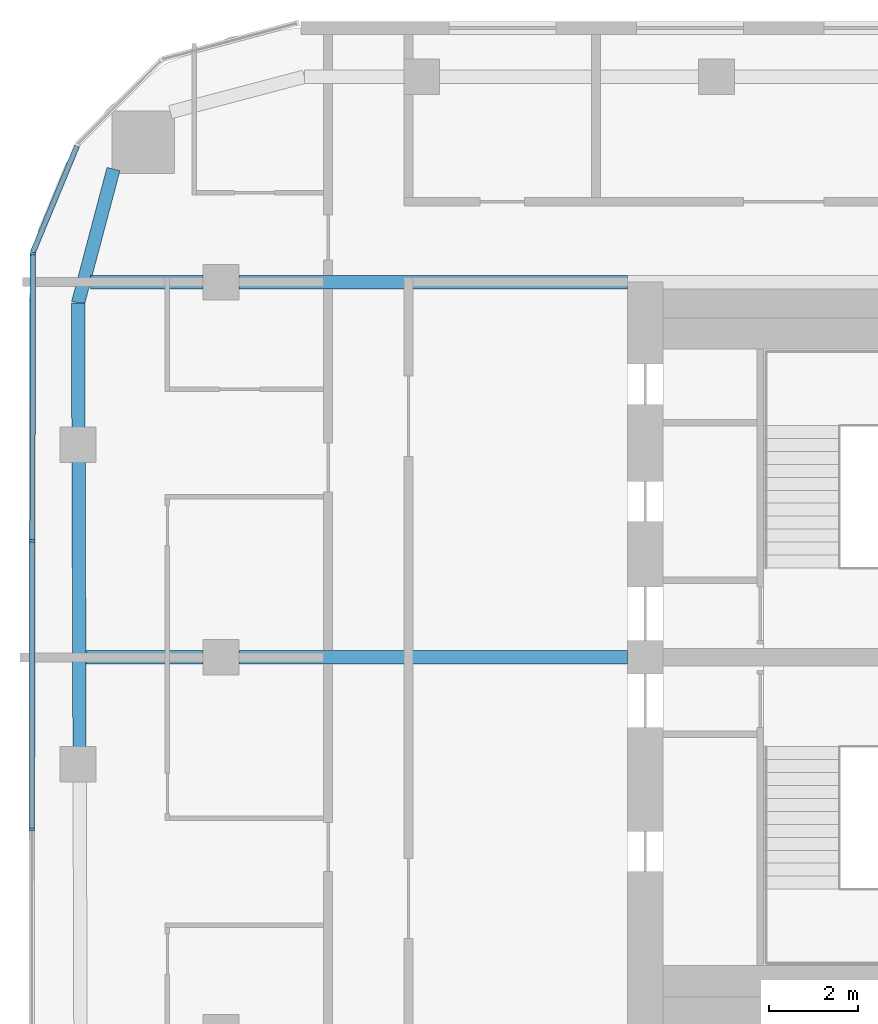
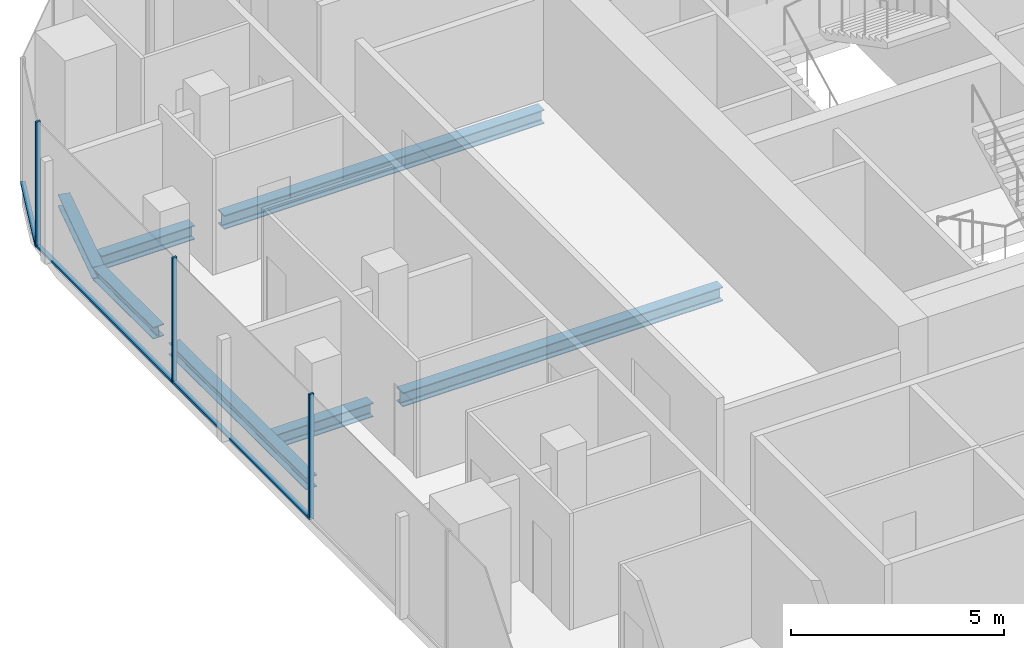
# One storey, part 8 of 21: 7 beams, 6 members, 2 elements without a shape of their own.
"""IFC4 building model written with IfcOpenShell, lengths in metres."""

from ifc_helpers import new_model, si_unit, direction, frame, origin, origin_2d, place, context, subcontext, project, spatial, rectangle, i_section, extrude, material, layer, layer_set, material_profile, profile_set, type_object, element, aggregate, save


model = new_model("IFC4")

# Units and contexts
model_context = context("Model", 3, precision=1e-05, world=origin(), true_north=direction((0.0, 1.0)))
body_context = subcontext(model_context, "Body", "Model", "MODEL_VIEW")
ifc_project = project(units=[si_unit("LENGTHUNIT", "METRE"), si_unit("AREAUNIT", "SQUARE_METRE"), si_unit("VOLUMEUNIT", "CUBIC_METRE"), si_unit("PLANEANGLEUNIT", "RADIAN"), si_unit("MASSUNIT", "GRAM", prefix="KILO")], contexts=[model_context])

# Site, building, storey
site_placement = place(None, origin())
site = spatial("IfcSite", under=ifc_project, at=site_placement, CompositionType="ELEMENT")
building_placement = place(site_placement, origin())
building = spatial("IfcBuilding", under=site, at=building_placement, Name="Marenta Gate Hotel Tower", CompositionType="ELEMENT")
storey_placement = place(building_placement, frame((0.0, 0.0, 245.300048828125)))
storey = spatial("IfcBuildingStorey", under=building, at=storey_placement, Name="L58", CompositionType="ELEMENT", Elevation=245.300048828125)

# Beams
ifc_material_1 = material(Name="Steel S355", Category="steel")
ifc_material_profile_1 = material_profile(ifc_material_1, i_section(OverallWidth=0.300048828125, OverallDepth=0.340087890625, WebThickness=0.011962890625, FlangeThickness=0.021484375, FilletRadius=0.027099609375, at=origin_2d()), Name="HEB 340")
ifc_profile_set_1 = profile_set([ifc_material_profile_1], Name="Steel S355")
beam_type_1 = type_object("IfcBeamType", Name="Edge beam HEB 340", PredefinedType="SPANDREL", material=ifc_profile_set_1)
beam_1_placement = place(storey_placement, frame((-24.166748046875, 6.36328125, -0.429931640625), z_axis=(-0.00333963982, 0.999994423387, 0.0), x_axis=(-0.999994423387, -0.00333963982, 0.0)))
element("IfcBeam", 1, at=beam_1_placement, inside=storey, type_object=beam_type_1, Name="L58-EB-9", PredefinedType="SPANDREL", context=body_context, shape_type="SweptSolid", body=[
    extrude(i_section(OverallWidth=0.300048828125, OverallDepth=0.340087890625, WebThickness=0.011962890625, FlangeThickness=0.021484375, FilletRadius=0.027099609375, at=origin_2d()), origin(), (0.0, 0.0, 1.0), 6.43310546875),
])
beam_2_placement = place(storey_placement, frame((-24.190673828125, 13.516357421875, -0.429931640625), z_axis=(-0.003292020626, 0.999994581285, 0.0), x_axis=(-0.999994581285, -0.003292020626, 0.0)))
element("IfcBeam", 2, at=beam_2_placement, inside=storey, type_object=beam_type_1, Name="L58-EB-10", PredefinedType="SPANDREL", context=body_context, shape_type="SweptSolid", body=[
    extrude(i_section(OverallWidth=0.300048828125, OverallDepth=0.340087890625, WebThickness=0.011962890625, FlangeThickness=0.021484375, FilletRadius=0.027099609375, at=origin_2d()), origin(), (0.0, 0.0, 1.0), 2.818115234375),
])
beam_3_placement = place(storey_placement, frame((-24.199951171875, 16.33447265625, -0.429931640625), z_axis=(0.255648013319, 0.966769927794, 0.0), x_axis=(-0.966769927794, 0.255648013319, 0.0)))
element("IfcBeam", 3, at=beam_3_placement, inside=storey, type_object=beam_type_1, Name="L58-EB-11", PredefinedType="SPANDREL", context=body_context, shape_type="SweptSolid", body=[
    extrude(i_section(OverallWidth=0.300048828125, OverallDepth=0.340087890625, WebThickness=0.011962890625, FlangeThickness=0.021484375, FilletRadius=0.027099609375, at=origin_2d()), origin(), (0.0, 0.0, 1.0), 3.100830078125),
])
ifc_material_2 = material(Name="Steel S355", Category="steel")
ifc_material_profile_2 = material_profile(ifc_material_2, i_section(OverallWidth=0.300048828125, OverallDepth=0.39990234375, WebThickness=0.013427734375, FlangeThickness=0.02392578125, FilletRadius=0.027099609375, at=origin_2d()), Name="HEB 400")
ifc_profile_set_2 = profile_set([ifc_material_profile_2], Name="Steel S355")
beam_type_2 = type_object("IfcBeamType", Name="Girder HEB 400", PredefinedType="BEAM", material=ifc_profile_set_2)
beam_4_placement = place(storey_placement, frame((-24.023681640625, 8.39990234375, -0.4599609375), z_axis=(1.0, 0.0, 0.0), x_axis=(0.0, 1.0, 0.0)))
element("IfcBeam", 4, at=beam_4_placement, inside=storey, type_object=beam_type_2, Name="L58-GD-25", PredefinedType="BEAM", context=body_context, shape_type="SweptSolid", body=[
    extrude(i_section(OverallWidth=0.300048828125, OverallDepth=0.39990234375, WebThickness=0.013427734375, FlangeThickness=0.02392578125, FilletRadius=0.027099609375, at=origin_2d()), origin(), (0.0, 0.0, 1.0), 2.623779296875),
])
beam_5_placement = place(storey_placement, frame((-20.60009765625, 8.39990234375, -0.4599609375), z_axis=(1.0, 0.0, 0.0), x_axis=(0.0, 1.0, 0.0)))
element("IfcBeam", 5, at=beam_5_placement, inside=storey, type_object=beam_type_2, Name="L58-GD-26", PredefinedType="BEAM", context=body_context, shape_type="SweptSolid", body=[
    extrude(i_section(OverallWidth=0.300048828125, OverallDepth=0.39990234375, WebThickness=0.013427734375, FlangeThickness=0.02392578125, FilletRadius=0.027099609375, at=origin_2d()), origin(), (0.0, 0.0, 1.0), 8.7001953125),
])
beam_6_placement = place(storey_placement, frame((-23.921630859375, 16.800048828125, -0.4599609375), z_axis=(1.0, 0.0, 0.0), x_axis=(0.0, 1.0, 0.0)))
element("IfcBeam", 6, at=beam_6_placement, inside=storey, type_object=beam_type_2, Name="L58-GD-29", PredefinedType="BEAM", context=body_context, shape_type="SweptSolid", body=[
    extrude(i_section(OverallWidth=0.300048828125, OverallDepth=0.39990234375, WebThickness=0.013427734375, FlangeThickness=0.02392578125, FilletRadius=0.027099609375, at=origin_2d()), origin(), (0.0, 0.0, 1.0), 2.521728515625),
])
beam_7_placement = place(storey_placement, frame((-20.60009765625, 16.800048828125, -0.4599609375), z_axis=(1.0, 0.0, 0.0), x_axis=(0.0, 1.0, 0.0)))
element("IfcBeam", 7, at=beam_7_placement, inside=storey, type_object=beam_type_2, Name="L58-GD-30", PredefinedType="BEAM", context=body_context, shape_type="SweptSolid", body=[
    extrude(i_section(OverallWidth=0.300048828125, OverallDepth=0.39990234375, WebThickness=0.013427734375, FlangeThickness=0.02392578125, FilletRadius=0.027099609375, at=origin_2d()), origin(), (0.0, 0.0, 1.0), 8.7001953125),
])

# Curtain wall, members
ifc_material_3 = material(Name="Tinted insulated glass in bronze anodised frame", Category="glass")
ifc_layer = layer(ifc_material_3, 0.1201171875)
ifc_layer_set = layer_set([ifc_layer], Name="Tinted insulated glass in bronze anodised frame")
curtain_wall_type = type_object("IfcCurtainWallType", Name="Tower unitised curtain wall CW1", PredefinedType="NOTDEFINED", material=ifc_layer_set)
curtain_wall_1_placement = place(storey_placement, origin())
curtain_wall_1 = element("IfcCurtainWall", 8, at=curtain_wall_1_placement, inside=storey, type_object=curtain_wall_type, Name="CW1 run G03", PredefinedType="NOTDEFINED")
ifc_material_4 = material(Name="Bronze anodised aluminium", Category="aluminium")
ifc_material_profile_3 = material_profile(ifc_material_4, rectangle(XDim=0.1201171875, YDim=0.06005859375, at=origin_2d()), Name="Mullion CW1 60x120 bronze anodised aluminium")
ifc_profile_set_3 = profile_set([ifc_material_profile_3], Name="Bronze anodised aluminium")
member_type_1 = type_object("IfcMemberType", Name="Mullion CW1 60x120 bronze anodised aluminium", PredefinedType="MULLION", material=ifc_profile_set_3)
member_1_placement = place(storey_placement, frame((-25.21240234375, 17.436279296875, 0.0), z_axis=(0.0, 0.0, 1.0), x_axis=(0.99999877375, -0.001566045546, 0.0)))
member_1 = element("IfcMember", 9, at=member_1_placement, type_object=member_type_1, Name="CW1 mullion 1", PredefinedType="MULLION", context=body_context, shape_type="SweptSolid", body=[
    extrude(rectangle(XDim=0.1201171875, YDim=0.06005859375, at=origin_2d()), origin(), (0.0, 0.0, 1.0), 3.599853515625),
])
member_2_placement = place(storey_placement, frame((-25.222412109375, 11.006103515625, 0.0), z_axis=(0.0, 0.0, 1.0), x_axis=(0.99999877375, -0.001566045546, 0.0)))
member_2 = element("IfcMember", 10, at=member_2_placement, type_object=member_type_1, Name="CW1 mullion 2", PredefinedType="MULLION", context=body_context, shape_type="SweptSolid", body=[
    extrude(rectangle(XDim=0.1201171875, YDim=0.06005859375, at=origin_2d()), origin(), (0.0, 0.0, 1.0), 3.599853515625),
])
member_3_placement = place(storey_placement, frame((-25.232421875, 4.546142578125, 0.0), z_axis=(0.0, 0.0, 1.0), x_axis=(0.99999877375, -0.001566045546, 0.0)))
member_3 = element("IfcMember", 11, at=member_3_placement, type_object=member_type_1, Name="CW1 mullion 3", PredefinedType="MULLION", context=body_context, shape_type="SweptSolid", body=[
    extrude(rectangle(XDim=0.1201171875, YDim=0.06005859375, at=origin_2d()), origin(), (0.0, 0.0, 1.0), 3.599853515625),
])

# Curtain wall, member
curtain_wall_2_placement = place(storey_placement, origin())
curtain_wall_2 = element("IfcCurtainWall", 12, at=curtain_wall_2_placement, inside=storey, type_object=curtain_wall_type, Name="CW1 run G02", PredefinedType="NOTDEFINED")
ifc_material_5 = material(Name="Bronze anodised aluminium", Category="aluminium")
ifc_material_profile_4 = material_profile(ifc_material_5, rectangle(XDim=0.1201171875, YDim=0.06005859375, at=origin_2d()), Name="Transom CW1 60x120 bronze anodised aluminium")
ifc_profile_set_4 = profile_set([ifc_material_profile_4], Name="Bronze anodised aluminium")
member_type_2 = type_object("IfcMemberType", Name="Transom CW1 60x120 bronze anodised aluminium", PredefinedType="USERDEFINED", material=ifc_profile_set_4)
member_4_placement = place(storey_placement, frame((-24.2265625, 19.845947265625, 0.030029296875), z_axis=(-0.382736860682, -0.923857399968, 0.0), x_axis=(0.923857399968, -0.382736860682, 0.0)))
member_4 = element("IfcMember", 13, at=member_4_placement, type_object=member_type_2, Name="CW1 transom 1.1", ObjectType="TRANSOM", PredefinedType="USERDEFINED", context=body_context, shape_type="SweptSolid", body=[
    extrude(rectangle(XDim=0.1201171875, YDim=0.06005859375, at=origin_2d()), origin(), (0.0, 0.0, 1.0), 2.57568359375),
])
aggregate(curtain_wall_2, [member_4])

# Member
member_5_placement = place(storey_placement, frame((-25.21240234375, 17.40625, 0.030029296875), z_axis=(-0.00157136093, -0.999998765412, 0.0), x_axis=(0.999998765412, -0.00157136093, 0.0)))
member_5 = element("IfcMember", 14, at=member_5_placement, type_object=member_type_2, Name="CW1 transom 1.1", ObjectType="TRANSOM", PredefinedType="USERDEFINED", context=body_context, shape_type="SweptSolid", body=[
    extrude(rectangle(XDim=0.1201171875, YDim=0.06005859375, at=origin_2d()), origin(), (0.0, 0.0, 1.0), 6.3701171875),
])

member_6_placement = place(storey_placement, frame((-25.222412109375, 10.976318359375, 0.030029296875), z_axis=(-0.001563988169, -0.99999877697, 0.0), x_axis=(0.99999877697, -0.001563988169, 0.0)))
member_6 = element("IfcMember", 15, at=member_6_placement, type_object=member_type_2, Name="CW1 transom 2.1", ObjectType="TRANSOM", PredefinedType="USERDEFINED", context=body_context, shape_type="SweptSolid", body=[
    extrude(rectangle(XDim=0.1201171875, YDim=0.06005859375, at=origin_2d()), origin(), (0.0, 0.0, 1.0), 6.400146484375),
])

aggregate(curtain_wall_1, [member_1, member_2, member_3, member_5, member_6])

save(model, "model.ifc")
